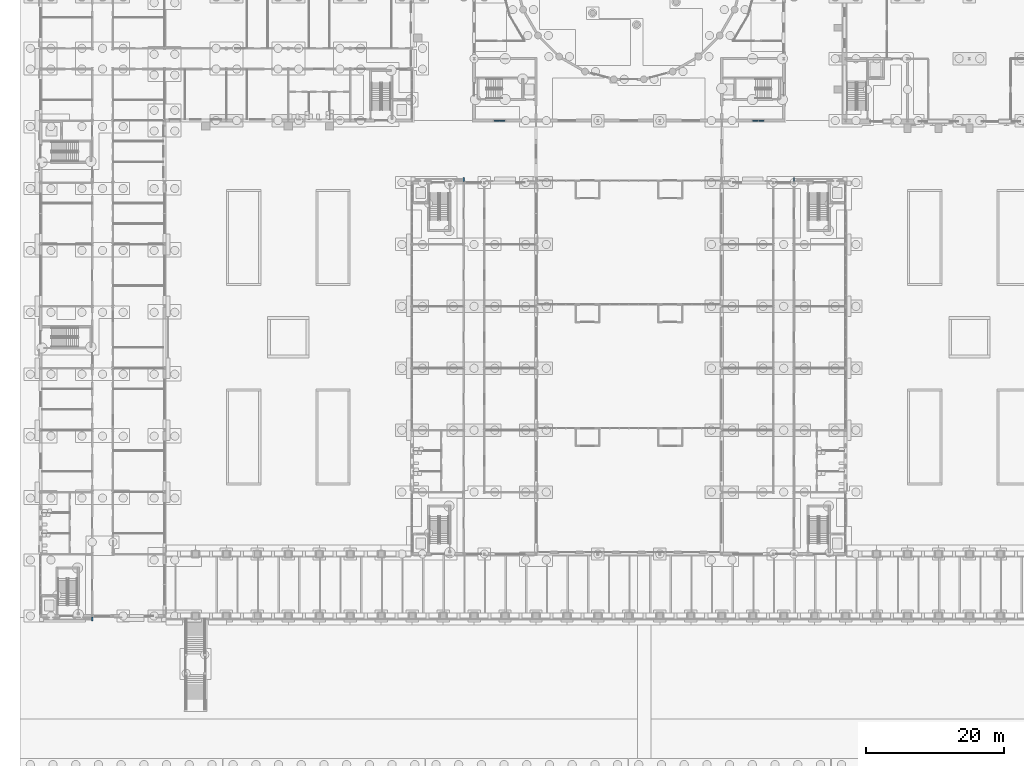
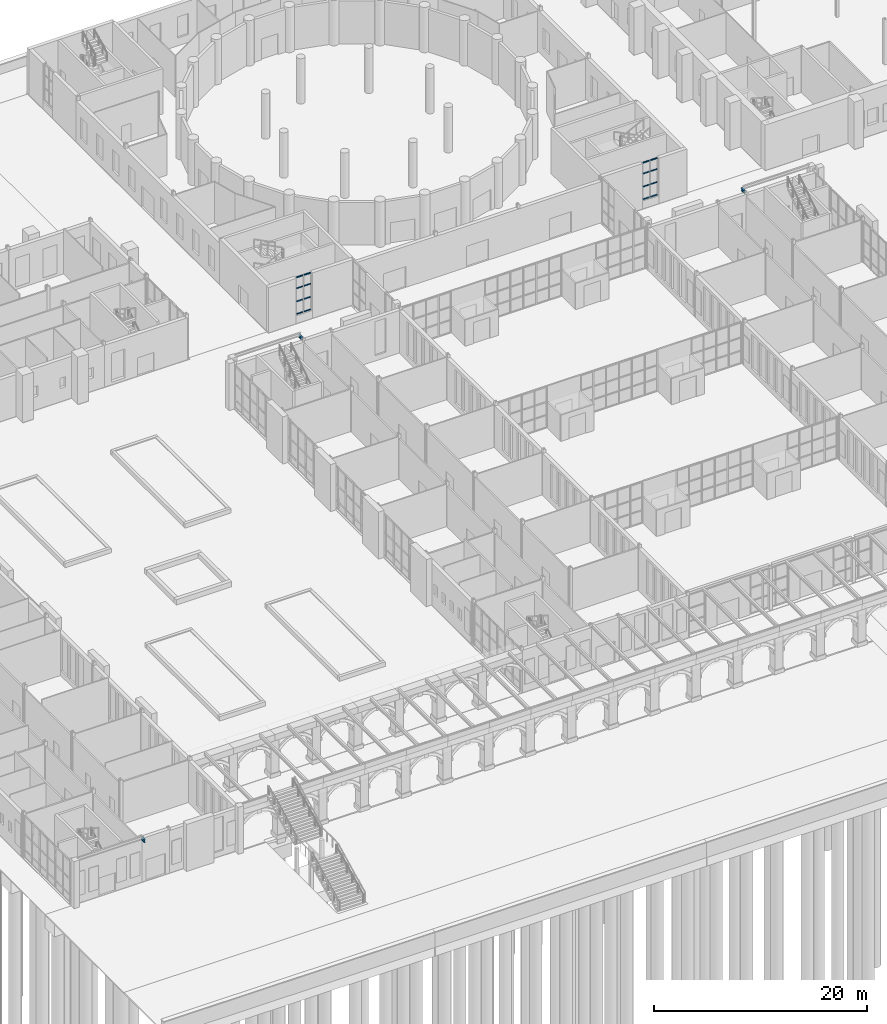
# One storey, part 69 of 168: 16 members, 3 beams, 2 elements without a shape of their own.
"""IFC4 building model written with IfcOpenShell, lengths in metres."""

from ifc_helpers import new_model, si_unit, direction, frame, origin, origin_2d, place, context, subcontext, project, spatial, hollow_rectangle, i_section, extrude, material, material_profile, profile_set, type_object, element, aggregate, save


model = new_model("IFC4")

# Units and contexts
model_context = context("Model", 3, precision=1e-05, world=origin(), true_north=direction((0.0, 1.0)))
body_context = subcontext(model_context, "Body", "Model", "MODEL_VIEW")
ifc_project = project(units=[si_unit("LENGTHUNIT", "METRE"), si_unit("AREAUNIT", "SQUARE_METRE"), si_unit("VOLUMEUNIT", "CUBIC_METRE"), si_unit("PLANEANGLEUNIT", "RADIAN"), si_unit("MASSUNIT", "GRAM", prefix="KILO")], contexts=[model_context])

# Site, building, storey
site_placement = place(None, origin())
site = spatial("IfcSite", under=ifc_project, at=site_placement, CompositionType="ELEMENT")
building_placement = place(site_placement, origin())
building = spatial("IfcBuilding", under=site, at=building_placement, Name="Golden Quay Civic Hall", CompositionType="ELEMENT")
storey_placement = place(building_placement, origin())
storey = spatial("IfcBuildingStorey", under=building, at=storey_placement, Name="L00", CompositionType="ELEMENT", Elevation=0.0)

# Curtain wall, members
ifc_material_1 = material(Name="Fire-resisting glass and steel", Category="steel")
curtain_wall_type = type_object("IfcCurtainWallType", Name="Fire-resisting glazed stair curtain wall EI 120", PredefinedType="NOTDEFINED", material=ifc_material_1)
curtain_wall_1_placement = place(storey_placement, origin())
curtain_wall_1 = element("IfcCurtainWall", 1, at=curtain_wall_1_placement, inside=storey, type_object=curtain_wall_type, Name="CW4 stair curtain wall", PredefinedType="NOTDEFINED")
ifc_material_2 = material(Name="Steel S355", Category="steel")
ifc_material_profile_1 = material_profile(ifc_material_2, hollow_rectangle(XDim=0.1201171875, YDim=0.1201171875, WallThickness=0.012451171875, at=origin_2d()), Name="SHS 120x120x12.5")
ifc_profile_set_1 = profile_set([ifc_material_profile_1], Name="Steel S355")
member_type = type_object("IfcMemberType", Name="Fire-resisting steel stair transom 120 x 120", PredefinedType="USERDEFINED", material=ifc_profile_set_1)
member_1_placement = place(storey_placement, frame((65.919921875, 63.0, 0.9599609375), z_axis=(1.0, 0.0, 0.0), x_axis=(0.0, 1.0, 0.0)))
member_1 = element("IfcMember", 2, at=member_1_placement, type_object=member_type, Name="CW4 transom 1.1", ObjectType="TRANSOM", PredefinedType="USERDEFINED", context=body_context, shape_type="SweptSolid", body=[
    extrude(hollow_rectangle(XDim=0.1201171875, YDim=0.1201171875, WallThickness=0.012451171875, at=origin_2d()), origin(), (0.0, 0.0, 1.0), 0.719970703125),
])
member_2_placement = place(storey_placement, frame((65.919921875, 63.0, 2.39990234375), z_axis=(1.0, 0.0, 0.0), x_axis=(0.0, 1.0, 0.0)))
member_2 = element("IfcMember", 3, at=member_2_placement, type_object=member_type, Name="CW4 transom 1.2", ObjectType="TRANSOM", PredefinedType="USERDEFINED", context=body_context, shape_type="SweptSolid", body=[
    extrude(hollow_rectangle(XDim=0.1201171875, YDim=0.1201171875, WallThickness=0.012451171875, at=origin_2d()), origin(), (0.0, 0.0, 1.0), 0.719970703125),
])
member_3_placement = place(storey_placement, frame((65.919921875, 63.0, 3.89990234375), z_axis=(1.0, 0.0, 0.0), x_axis=(0.0, 1.0, 0.0)))
member_3 = element("IfcMember", 4, at=member_3_placement, type_object=member_type, Name="CW4 transom 1.3", ObjectType="TRANSOM", PredefinedType="USERDEFINED", context=body_context, shape_type="SweptSolid", body=[
    extrude(hollow_rectangle(XDim=0.1201171875, YDim=0.1201171875, WallThickness=0.012451171875, at=origin_2d()), origin(), (0.0, 0.0, 1.0), 0.719970703125),
])
member_4_placement = place(storey_placement, frame((65.919921875, 63.0, 5.139892578125), z_axis=(1.0, 0.0, 0.0), x_axis=(0.0, 1.0, 0.0)))
member_4 = element("IfcMember", 5, at=member_4_placement, type_object=member_type, Name="CW4 transom 1.4", ObjectType="TRANSOM", PredefinedType="USERDEFINED", context=body_context, shape_type="SweptSolid", body=[
    extrude(hollow_rectangle(XDim=0.1201171875, YDim=0.1201171875, WallThickness=0.012451171875, at=origin_2d()), origin(), (0.0, 0.0, 1.0), 0.719970703125),
])
member_5_placement = place(storey_placement, frame((66.760009765625, 63.0, 0.9599609375), z_axis=(1.0, 0.0, 0.0), x_axis=(0.0, 1.0, 0.0)))
member_5 = element("IfcMember", 6, at=member_5_placement, type_object=member_type, Name="CW4 transom 2.1", ObjectType="TRANSOM", PredefinedType="USERDEFINED", context=body_context, shape_type="SweptSolid", body=[
    extrude(hollow_rectangle(XDim=0.1201171875, YDim=0.1201171875, WallThickness=0.012451171875, at=origin_2d()), origin(), (0.0, 0.0, 1.0), 0.719970703125),
])
member_6_placement = place(storey_placement, frame((66.760009765625, 63.0, 2.39990234375), z_axis=(1.0, 0.0, 0.0), x_axis=(0.0, 1.0, 0.0)))
member_6 = element("IfcMember", 7, at=member_6_placement, type_object=member_type, Name="CW4 transom 2.2", ObjectType="TRANSOM", PredefinedType="USERDEFINED", context=body_context, shape_type="SweptSolid", body=[
    extrude(hollow_rectangle(XDim=0.1201171875, YDim=0.1201171875, WallThickness=0.012451171875, at=origin_2d()), origin(), (0.0, 0.0, 1.0), 0.719970703125),
])
member_7_placement = place(storey_placement, frame((66.760009765625, 63.0, 3.89990234375), z_axis=(1.0, 0.0, 0.0), x_axis=(0.0, 1.0, 0.0)))
member_7 = element("IfcMember", 8, at=member_7_placement, type_object=member_type, Name="CW4 transom 2.3", ObjectType="TRANSOM", PredefinedType="USERDEFINED", context=body_context, shape_type="SweptSolid", body=[
    extrude(hollow_rectangle(XDim=0.1201171875, YDim=0.1201171875, WallThickness=0.012451171875, at=origin_2d()), origin(), (0.0, 0.0, 1.0), 0.719970703125),
])
member_8_placement = place(storey_placement, frame((66.760009765625, 63.0, 5.139892578125), z_axis=(1.0, 0.0, 0.0), x_axis=(0.0, 1.0, 0.0)))
member_8 = element("IfcMember", 9, at=member_8_placement, type_object=member_type, Name="CW4 transom 2.4", ObjectType="TRANSOM", PredefinedType="USERDEFINED", context=body_context, shape_type="SweptSolid", body=[
    extrude(hollow_rectangle(XDim=0.1201171875, YDim=0.1201171875, WallThickness=0.012451171875, at=origin_2d()), origin(), (0.0, 0.0, 1.0), 0.719970703125),
])
aggregate(curtain_wall_1, [member_1, member_2, member_3, member_4, member_5, member_6, member_7, member_8])

curtain_wall_2_placement = place(storey_placement, origin())
curtain_wall_2 = element("IfcCurtainWall", 10, at=curtain_wall_2_placement, inside=storey, type_object=curtain_wall_type, Name="CW4 stair curtain wall", PredefinedType="NOTDEFINED")
member_9_placement = place(storey_placement, frame((103.52001953125, 63.0, 0.9599609375), z_axis=(1.0, 0.0, 0.0), x_axis=(0.0, 1.0, 0.0)))
member_9 = element("IfcMember", 11, at=member_9_placement, type_object=member_type, Name="CW4 transom 1.1", ObjectType="TRANSOM", PredefinedType="USERDEFINED", context=body_context, shape_type="SweptSolid", body=[
    extrude(hollow_rectangle(XDim=0.1201171875, YDim=0.1201171875, WallThickness=0.012451171875, at=origin_2d()), origin(), (0.0, 0.0, 1.0), 0.719970703125),
])
member_10_placement = place(storey_placement, frame((103.52001953125, 63.0, 2.39990234375), z_axis=(1.0, 0.0, 0.0), x_axis=(0.0, 1.0, 0.0)))
member_10 = element("IfcMember", 12, at=member_10_placement, type_object=member_type, Name="CW4 transom 1.2", ObjectType="TRANSOM", PredefinedType="USERDEFINED", context=body_context, shape_type="SweptSolid", body=[
    extrude(hollow_rectangle(XDim=0.1201171875, YDim=0.1201171875, WallThickness=0.012451171875, at=origin_2d()), origin(), (0.0, 0.0, 1.0), 0.719970703125),
])
member_11_placement = place(storey_placement, frame((103.52001953125, 63.0, 3.89990234375), z_axis=(1.0, 0.0, 0.0), x_axis=(0.0, 1.0, 0.0)))
member_11 = element("IfcMember", 13, at=member_11_placement, type_object=member_type, Name="CW4 transom 1.3", ObjectType="TRANSOM", PredefinedType="USERDEFINED", context=body_context, shape_type="SweptSolid", body=[
    extrude(hollow_rectangle(XDim=0.1201171875, YDim=0.1201171875, WallThickness=0.012451171875, at=origin_2d()), origin(), (0.0, 0.0, 1.0), 0.719970703125),
])
member_12_placement = place(storey_placement, frame((103.52001953125, 63.0, 5.139892578125), z_axis=(1.0, 0.0, 0.0), x_axis=(0.0, 1.0, 0.0)))
member_12 = element("IfcMember", 14, at=member_12_placement, type_object=member_type, Name="CW4 transom 1.4", ObjectType="TRANSOM", PredefinedType="USERDEFINED", context=body_context, shape_type="SweptSolid", body=[
    extrude(hollow_rectangle(XDim=0.1201171875, YDim=0.1201171875, WallThickness=0.012451171875, at=origin_2d()), origin(), (0.0, 0.0, 1.0), 0.719970703125),
])
member_13_placement = place(storey_placement, frame((104.360107421875, 63.0, 0.9599609375), z_axis=(1.0, 0.0, 0.0), x_axis=(0.0, 1.0, 0.0)))
member_13 = element("IfcMember", 15, at=member_13_placement, type_object=member_type, Name="CW4 transom 2.1", ObjectType="TRANSOM", PredefinedType="USERDEFINED", context=body_context, shape_type="SweptSolid", body=[
    extrude(hollow_rectangle(XDim=0.1201171875, YDim=0.1201171875, WallThickness=0.012451171875, at=origin_2d()), origin(), (0.0, 0.0, 1.0), 0.719970703125),
])
member_14_placement = place(storey_placement, frame((104.360107421875, 63.0, 2.39990234375), z_axis=(1.0, 0.0, 0.0), x_axis=(0.0, 1.0, 0.0)))
member_14 = element("IfcMember", 16, at=member_14_placement, type_object=member_type, Name="CW4 transom 2.2", ObjectType="TRANSOM", PredefinedType="USERDEFINED", context=body_context, shape_type="SweptSolid", body=[
    extrude(hollow_rectangle(XDim=0.1201171875, YDim=0.1201171875, WallThickness=0.012451171875, at=origin_2d()), origin(), (0.0, 0.0, 1.0), 0.719970703125),
])
member_15_placement = place(storey_placement, frame((104.360107421875, 63.0, 3.89990234375), z_axis=(1.0, 0.0, 0.0), x_axis=(0.0, 1.0, 0.0)))
member_15 = element("IfcMember", 17, at=member_15_placement, type_object=member_type, Name="CW4 transom 2.3", ObjectType="TRANSOM", PredefinedType="USERDEFINED", context=body_context, shape_type="SweptSolid", body=[
    extrude(hollow_rectangle(XDim=0.1201171875, YDim=0.1201171875, WallThickness=0.012451171875, at=origin_2d()), origin(), (0.0, 0.0, 1.0), 0.719970703125),
])
member_16_placement = place(storey_placement, frame((104.360107421875, 63.0, 5.139892578125), z_axis=(1.0, 0.0, 0.0), x_axis=(0.0, 1.0, 0.0)))
member_16 = element("IfcMember", 18, at=member_16_placement, type_object=member_type, Name="CW4 transom 2.4", ObjectType="TRANSOM", PredefinedType="USERDEFINED", context=body_context, shape_type="SweptSolid", body=[
    extrude(hollow_rectangle(XDim=0.1201171875, YDim=0.1201171875, WallThickness=0.012451171875, at=origin_2d()), origin(), (0.0, 0.0, 1.0), 0.719970703125),
])
aggregate(curtain_wall_2, [member_9, member_10, member_11, member_12, member_13, member_14, member_15, member_16])

# Beams
ifc_material_3 = material(Name="Steel S355", Category="steel")
ifc_material_profile_2 = material_profile(ifc_material_3, i_section(OverallWidth=0.159912109375, OverallDepth=0.330078125, WebThickness=0.007568359375, FlangeThickness=0.011474609375, FilletRadius=0.01806640625, at=origin_2d()), Name="IPE 330")
ifc_profile_set_2 = profile_set([ifc_material_profile_2], Name="Steel S355")
beam_type = type_object("IfcBeamType", Name="Steel pier bearing stub IPE 330", PredefinedType="BEAM", material=ifc_profile_set_2)
beam_placement = place(storey_placement, frame((7.5, -9.14990234375, 5.034912109375), z_axis=(0.0, -1.0, 0.0), x_axis=(1.0, 0.0, 0.0)))
element("IfcBeam", 19, at=beam_placement, inside=storey, type_object=beam_type, Name="Steel pier bearing stub IPE 330 L00 1", PredefinedType="BEAM", context=body_context, shape_type="SweptSolid", body=[
    extrude(i_section(OverallWidth=0.159912109375, OverallDepth=0.330078125, WebThickness=0.007568359375, FlangeThickness=0.011474609375, FilletRadius=0.01806640625, at=origin_2d()), origin(), (0.0, 0.0, 1.0), 0.60009765625),
])
for number, where, z_axis, x_axis, name in (
    (20, (61.5, 54.14501953125, 5.034912109375), (0.0, 1.0, 0.0), (-1.0, 0.0, 0.0), "Steel pier bearing stub IPE 330 L00 2"),
    (21, (109.5, 54.14501953125, 5.034912109375), (0.0, 1.0, 0.0), (-1.0, 0.0, 0.0), "Steel pier bearing stub IPE 330 L00 3"),
):
    element("IfcBeam", number, at=place(storey_placement, frame(where, z_axis=z_axis, x_axis=x_axis)), inside=storey, type_object=beam_type, Name=name, PredefinedType="BEAM", context=body_context, shape_type="SweptSolid", body=[
        extrude(i_section(OverallWidth=0.159912109375, OverallDepth=0.330078125, WebThickness=0.007568359375, FlangeThickness=0.011474609375, FilletRadius=0.01806640625, at=origin_2d()), origin(), (0.0, 0.0, 1.0), 0.60498046875),
    ])

save(model, "model.ifc")
